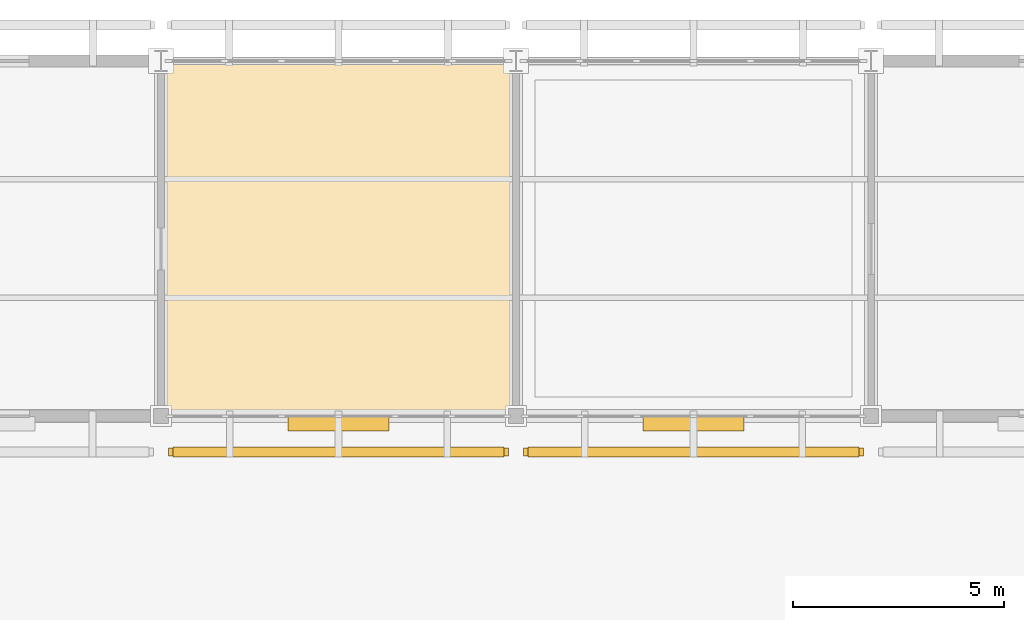
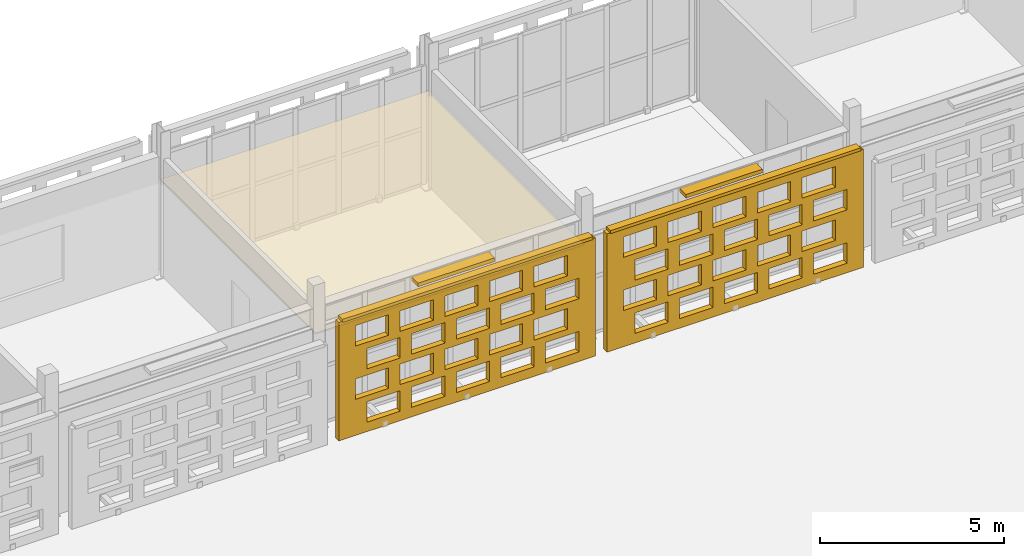
# One storey, part 176 of 203: 4 shading devices, 3 coverings, 40 openings.
"""IFC4 building model written with IfcOpenShell, lengths in metres."""

import ifcopenshell
import ifcopenshell.guid

model = None  # the IFC model being written
_history = None  # IfcOwnerHistory: only IFC2X3 demands one
_inside = {}  # id of a spatial element -> (the spatial element, [elements in it])
_under = {}  # id of a project, library or spatial element -> (it, [spatial elements below it])
_declared = {}  # id of a project -> (the project, [libraries it declares])
_typed = {}  # id of a type object -> (the type object, [elements of that type])
_made_of = {}  # id of a material, layer set ... -> (it, [elements and type objects made of it])


def new_model(schema):
    """Start an empty IFC model of exactly this schema.

    Asked for "IFC4X3", IfcOpenShell would pick the latest addendum, in which some entities
    have other attributes; the version numbers below select the first issue.
    IFC2X3 requires an IfcOwnerHistory on every rooted entity: one is made here for all.
    """
    global model, _history
    if schema == "IFC4X3":
        model = ifcopenshell.file(schema_version=(4, 3, 0, 0))
    else:
        model = ifcopenshell.file(schema=schema)
    _inside.clear()
    _under.clear()
    _declared.clear()
    _typed.clear()
    _made_of.clear()
    _history = None
    if model.schema == "IFC2X3":
        org = make("IfcOrganization", Name="unknown")
        user = make(
            "IfcPersonAndOrganization",
            ThePerson=make("IfcPerson", FamilyName="unknown"),
            TheOrganization=org,
        )
        app = make(
            "IfcApplication",
            ApplicationDeveloper=org,
            Version="unknown",
            ApplicationFullName="unknown",
            ApplicationIdentifier="unknown",
        )
        _history = make(
            "IfcOwnerHistory",
            OwningUser=user,
            OwningApplication=app,
            ChangeAction="ADDED",
            CreationDate=0,
        )
    return model


def make(cls, **values):
    """One entity of the class cls with the attributes given. An attribute that is None is left unset."""
    return model.create_entity(
        cls, **{name: value for name, value in values.items() if value is not None}
    )


def rooted(cls, **values):
    """An entity with a GlobalId (a new one), such as an element, a storey or a relation."""
    return make(cls, GlobalId=ifcopenshell.guid.new(), OwnerHistory=_history, **values)


def si_unit(unit_type, name, prefix=None):
    """IfcSIUnit, for example si_unit("LENGTHUNIT", "METRE", prefix="MILLI")."""
    return make("IfcSIUnit", UnitType=unit_type, Prefix=prefix, Name=name)


def assignment(units):
    """IfcUnitAssignment: the units of a project."""
    return None if units is None else make("IfcUnitAssignment", Units=units)


def point(xyz):
    """IfcCartesianPoint."""
    return None if xyz is None else make("IfcCartesianPoint", Coordinates=xyz)


def direction(xyz):
    """IfcDirection."""
    return None if xyz is None else make("IfcDirection", DirectionRatios=xyz)


def frame(location, z_axis=None, x_axis=None):
    """IfcAxis2Placement3D, a coordinate frame: its origin and axes. An axis left out is left unset."""
    return make(
        "IfcAxis2Placement3D",
        Location=point(location),
        Axis=direction(z_axis),
        RefDirection=direction(x_axis),
    )


def frame_2d(location, x_axis=None):
    """IfcAxis2Placement2D, a coordinate frame in the plane: its origin and x axis."""
    return make(
        "IfcAxis2Placement2D", Location=point(location), RefDirection=direction(x_axis)
    )


def origin():
    """The frame at (0, 0, 0) with its axes left unset."""
    return frame((0.0, 0.0, 0.0))


def origin_2d():
    """The frame at (0, 0) in the plane with its x axis left unset."""
    return frame_2d((0.0, 0.0))


def place(relative_to, where):
    """IfcLocalPlacement: puts the frame where relative to a parent placement (None: the world)."""
    return make(
        "IfcLocalPlacement", PlacementRelTo=relative_to, RelativePlacement=where
    )


def context(
    kind, dimensions, precision=None, world=None, true_north=None, identifier=None
):
    """IfcGeometricRepresentationContext, for example the 3D "Model" context."""
    return make(
        "IfcGeometricRepresentationContext",
        ContextIdentifier=identifier,
        ContextType=kind,
        CoordinateSpaceDimension=dimensions,
        Precision=precision,
        WorldCoordinateSystem=world,
        TrueNorth=true_north,
    )


def subcontext(parent, identifier, kind, view, scale=None):
    """IfcGeometricRepresentationSubContext, for example "Body" below "Model"."""
    return make(
        "IfcGeometricRepresentationSubContext",
        ContextIdentifier=identifier,
        ContextType=kind,
        ParentContext=parent,
        TargetScale=scale,
        TargetView=view,
    )


def project(units=None, contexts=None):
    """IfcProject with its units and contexts."""
    return rooted(
        "IfcProject",
        Name="project",
        RepresentationContexts=contexts,
        UnitsInContext=assignment(units),
    )


def spatial(cls, under=None, at=None, **own):
    """A site, building, storey or space (cls), placed at a placement, below another one or the project."""
    s = rooted(cls, ObjectPlacement=at, **own)
    if under is not None:
        _under.setdefault(under.id(), (under, []))[1].append(s)
    return s


def profile(cls, at=None, kind="AREA", **sizes):
    """A parametric profile (cls). Its sizes go by their IFC names, for example OverallWidth=200.0."""
    return make(cls, ProfileType=kind, Position=at, **sizes)


def rectangle(**sizes):
    """IfcRectangleProfileDef."""
    return profile("IfcRectangleProfileDef", **sizes)


def extrude(swept, where, along, depth):
    """IfcExtrudedAreaSolid: the profile swept, set in the frame where, extruded along a direction by depth."""
    return make(
        "IfcExtrudedAreaSolid",
        SweptArea=swept,
        Position=where,
        ExtrudedDirection=direction(along),
        Depth=depth,
    )


def shape(context_of_items, identifier, shape_type, items):
    """IfcShapeRepresentation: the items that make up one representation, for example the "Body"."""
    return make(
        "IfcShapeRepresentation",
        ContextOfItems=context_of_items,
        RepresentationIdentifier=identifier,
        RepresentationType=shape_type,
        Items=items,
    )


def material(Name=None, Category=None):
    """IfcMaterial."""
    return make("IfcMaterial", Name=Name, Category=Category)


def layer(
    of_material, thickness, ventilated=None, Name=None, Category=None, Priority=None
):
    """IfcMaterialLayer: one layer of a wall or slab, of a material (None: an air gap)."""
    return make(
        "IfcMaterialLayer",
        Material=of_material,
        LayerThickness=thickness,
        IsVentilated=ventilated,
        Name=Name,
        Category=Category,
        Priority=Priority,
    )


def layer_set(layers, Name=None):
    """IfcMaterialLayerSet."""
    return make("IfcMaterialLayerSet", MaterialLayers=layers, LayerSetName=Name)


def made_of(thing, what):
    """Note that an element or type object is made of a material, layer set ...; save() writes the relation."""
    if what is not None:
        _made_of.setdefault(what.id(), (what, []))[1].append(thing)
    return thing


def type_object(cls, material=None, **own):
    """A type object (cls), such as IfcWallType, which elements share."""
    return made_of(rooted(cls, **own), material)


def element(
    cls,
    number,
    at=None,
    inside=None,
    cuts=None,
    type_object=None,
    material=None,
    context=None,
    identifier="Body",
    shape_type=None,
    held_by="IfcProductDefinitionShape",
    body=None,
    shapes=None,
    **own,
):
    """One element of the class cls, such as IfcWall. Its Tag is "e" and its number.

    at: its placement. inside: the storey or other place that contains it. cuts: it is an
    opening in that element (IfcRelVoidsElement). A single representation is given by context,
    identifier, shape_type and body (its items); several are given by shapes. held_by: the class
    of the entity that holds the representations. save() writes the other relations.
    """
    e = rooted(cls, Tag="e%d" % number, ObjectPlacement=at, **own)
    if body is not None:
        shapes = [shape(context, identifier, shape_type, body)]
    if shapes is not None:
        e.Representation = make(held_by, Representations=shapes)
    if inside is not None:
        _inside.setdefault(inside.id(), (inside, []))[1].append(e)
    if cuts is not None:
        rooted(
            "IfcRelVoidsElement", RelatingBuildingElement=cuts, RelatedOpeningElement=e
        )
    if type_object is not None:
        _typed.setdefault(type_object.id(), (type_object, []))[1].append(e)
    return made_of(e, material)


def aggregate(whole, parts):
    """IfcRelAggregates: a whole, such as a stair, and the parts it consists of."""
    return rooted("IfcRelAggregates", RelatingObject=whole, RelatedObjects=parts)


def save(model, path):
    """Write the relations noted so far, then the file.

    IfcRelAggregates (storeys below a building ...), IfcRelContainedInSpatialStructure (elements
    in a storey), IfcRelDefinesByType, IfcRelAssociatesMaterial and IfcRelDeclares: one each for
    every whole, place, type object, material and project.
    """
    for whole, parts in _under.values():
        aggregate(whole, parts)
    for where, things in _inside.values():
        rooted(
            "IfcRelContainedInSpatialStructure",
            RelatedElements=things,
            RelatingStructure=where,
        )
    for kind, things in _typed.values():
        rooted("IfcRelDefinesByType", RelatedObjects=things, RelatingType=kind)
    for what, things in _made_of.values():
        rooted("IfcRelAssociatesMaterial", RelatedObjects=things, RelatingMaterial=what)
    for by, libraries in _declared.values():
        rooted("IfcRelDeclares", RelatingContext=by, RelatedDefinitions=libraries)
    model.write(path)


model = new_model("IFC4")

# Units and contexts
model_context = context("Model", 3, precision=1e-05, world=origin(), true_north=direction((0.0, 1.0)))
body_context = subcontext(model_context, "Body", "Model", "MODEL_VIEW")
ifc_project = project(units=[si_unit("LENGTHUNIT", "METRE"), si_unit("AREAUNIT", "SQUARE_METRE"), si_unit("VOLUMEUNIT", "CUBIC_METRE"), si_unit("PLANEANGLEUNIT", "RADIAN"), si_unit("MASSUNIT", "GRAM", prefix="KILO")], contexts=[model_context])

# Site, building, storey
site_placement = place(None, origin())
site = spatial("IfcSite", under=ifc_project, at=site_placement, CompositionType="ELEMENT")
building_placement = place(site_placement, origin())
building = spatial("IfcBuilding", under=site, at=building_placement, Name="Varnapada Polytechnic", CompositionType="ELEMENT")
storey_placement = place(building_placement, frame((0.0, 0.0, 4.800048828125)))
storey = spatial("IfcBuildingStorey", under=building, at=storey_placement, Name="L01", CompositionType="ELEMENT", Elevation=4.800048828125)

# Shading devices
ifc_material_1 = material(Name="Anodised aluminium", Category="aluminium")
ifc_layer_1 = layer(ifc_material_1, 0.35009765625)
ifc_layer_set_1 = layer_set([ifc_layer_1], Name="Anodised aluminium")
shading_device_type_1 = type_object("IfcShadingDeviceType", Name="Solar Louvre LVR-01", PredefinedType="JALOUSIE", material=ifc_layer_set_1)
for number, where, z_axis, x_axis, name in (
    (1, (79.800048828125, 117.419921875, 3.760009765625), (0.0, 0.0, 1.0), (-1.0, 0.0, 0.0), "L01 aluminium sun louvre 70"),
    (2, (88.199951171875, 117.419921875, 3.760009765625), (0.0, 0.0, 1.0), (-1.0, 0.0, 0.0), "L01 aluminium sun louvre 76"),
):
    element("IfcShadingDevice", number, at=place(storey_placement, frame(where, z_axis=z_axis, x_axis=x_axis)), inside=storey, type_object=shading_device_type_1, Name=name, PredefinedType="JALOUSIE", context=body_context, shape_type="SweptSolid", body=[
        extrude(rectangle(XDim=2.39990234375, YDim=0.340087890625, at=origin_2d()), origin(), (0.0, 0.0, 1.0), 0.1201171875),
    ])

# Covering
ifc_material_2 = material(Name="Micro-Perforated Gypsum Acoustic Ceiling")
ifc_layer_2 = layer(ifc_material_2, 0.044921875)
ifc_layer_set_2 = layer_set([ifc_layer_2], Name="Micro-Perforated Gypsum Acoustic Ceiling")
covering_type_1 = type_object("IfcCoveringType", Name="Suspended Ceiling CLG-04", PredefinedType="CEILING", material=ifc_layer_set_2)
covering_1_placement = place(storey_placement, frame((79.800048828125, 121.800048828125, 3.027587890625), z_axis=(0.0, 0.0, 1.0), x_axis=(1.0, 0.0, 0.0)))
element("IfcCovering", 3, at=covering_1_placement, inside=storey, type_object=covering_type_1, Name="L01 suspended acoustic ceiling (10,15)", PredefinedType="CEILING", context=body_context, shape_type="SweptSolid", body=[
    extrude(rectangle(XDim=8.419921875, YDim=8.419921875, at=origin_2d()), origin(), (0.0, 0.0, 1.0), 0.044921875),
])

# Covering, openings
ifc_material_3 = material(Name="Earth-toned architectural terracotta screen block", Category="masonry")
ifc_layer_3 = layer(ifc_material_3, 0.1201171875)
ifc_layer_set_3 = layer_set([ifc_layer_3], Name="Earth-toned architectural terracotta screen block")
covering_type_2 = type_object("IfcCoveringType", Name="Terracotta Screen Cladding CLD-01", PredefinedType="CLADDING", material=ifc_layer_set_3)
covering_2_placement = place(storey_placement, frame((83.820068359375, 116.75, 0.0), z_axis=(0.0, 0.0, 1.0), x_axis=(-1.0, 0.0, 0.0)))
covering_2 = element("IfcCovering", 4, at=covering_2_placement, inside=storey, type_object=covering_type_2, Name="L01 perforated terracotta block screen (70)", PredefinedType="CLADDING", context=body_context, shape_type="SweptSolid", body=[
    extrude(rectangle(XDim=8.0400390625, YDim=0.179931640625, at=frame_2d((4.02001953125, 0.0))), origin(), (0.0, 0.0, 1.0), 3.919921875),
])
opening_1_placement = place(covering_2_placement, frame((0.52001953125, 0.0, 0.313720703125)))
element("IfcOpeningElement", 5, at=opening_1_placement, cuts=covering_2, Name="Screen perforation TBS-L01-069.1", PredefinedType="OPENING", context=body_context, shape_type="SweptSolid", body=[
    extrude(rectangle(XDim=1.0400390625, YDim=0.679931640625, at=frame_2d((0.52001953125, 0.33984375))), frame((0.0, 0.099853515625, 0.0), z_axis=(0.0, -1.0, 0.0), x_axis=(1.0, 0.0, 0.0)), (0.0, 0.0, 1.0), 0.199951171875),
])
opening_2_placement = place(covering_2_placement, frame((1.919921875, 0.0, 0.313720703125)))
element("IfcOpeningElement", 6, at=opening_2_placement, cuts=covering_2, Name="Screen perforation TBS-L01-069.2", PredefinedType="OPENING", context=body_context, shape_type="SweptSolid", body=[
    extrude(rectangle(XDim=1.0400390625, YDim=0.679931640625, at=frame_2d((0.52001953125, 0.33984375))), frame((0.0, 0.099853515625, 0.0), z_axis=(0.0, -1.0, 0.0), x_axis=(1.0, 0.0, 0.0)), (0.0, 0.0, 1.0), 0.199951171875),
])
opening_3_placement = place(covering_2_placement, frame((3.320068359375, 0.0, 0.313720703125)))
element("IfcOpeningElement", 7, at=opening_3_placement, cuts=covering_2, Name="Screen perforation TBS-L01-069.3", PredefinedType="OPENING", context=body_context, shape_type="SweptSolid", body=[
    extrude(rectangle(XDim=1.0400390625, YDim=0.679931640625, at=frame_2d((0.52001953125, 0.33984375))), frame((0.0, 0.099853515625, 0.0), z_axis=(0.0, -1.0, 0.0), x_axis=(1.0, 0.0, 0.0)), (0.0, 0.0, 1.0), 0.199951171875),
])
opening_4_placement = place(covering_2_placement, frame((4.719970703125, 0.0, 0.313720703125)))
element("IfcOpeningElement", 8, at=opening_4_placement, cuts=covering_2, Name="Screen perforation TBS-L01-069.4", PredefinedType="OPENING", context=body_context, shape_type="SweptSolid", body=[
    extrude(rectangle(XDim=1.0400390625, YDim=0.679931640625, at=frame_2d((0.52001953125, 0.33984375))), frame((0.0, 0.099853515625, 0.0), z_axis=(0.0, -1.0, 0.0), x_axis=(1.0, 0.0, 0.0)), (0.0, 0.0, 1.0), 0.199951171875),
])
opening_5_placement = place(covering_2_placement, frame((6.1201171875, 0.0, 0.313720703125)))
element("IfcOpeningElement", 9, at=opening_5_placement, cuts=covering_2, Name="Screen perforation TBS-L01-069.5", PredefinedType="OPENING", context=body_context, shape_type="SweptSolid", body=[
    extrude(rectangle(XDim=1.0400390625, YDim=0.679931640625, at=frame_2d((0.52001953125, 0.33984375))), frame((0.0, 0.099853515625, 0.0), z_axis=(0.0, -1.0, 0.0), x_axis=(1.0, 0.0, 0.0)), (0.0, 0.0, 1.0), 0.199951171875),
])
opening_6_placement = place(covering_2_placement, frame((0.8798828125, 0.0, 1.195556640625)))
element("IfcOpeningElement", 10, at=opening_6_placement, cuts=covering_2, Name="Screen perforation TBS-L01-069.6", PredefinedType="OPENING", context=body_context, shape_type="SweptSolid", body=[
    extrude(rectangle(XDim=1.0400390625, YDim=0.679931640625, at=frame_2d((0.52001953125, 0.33984375))), frame((0.0, 0.099853515625, 0.0), z_axis=(0.0, -1.0, 0.0), x_axis=(1.0, 0.0, 0.0)), (0.0, 0.0, 1.0), 0.199951171875),
])
opening_7_placement = place(covering_2_placement, frame((2.280029296875, 0.0, 1.195556640625)))
element("IfcOpeningElement", 11, at=opening_7_placement, cuts=covering_2, Name="Screen perforation TBS-L01-069.7", PredefinedType="OPENING", context=body_context, shape_type="SweptSolid", body=[
    extrude(rectangle(XDim=1.0400390625, YDim=0.679931640625, at=frame_2d((0.52001953125, 0.33984375))), frame((0.0, 0.099853515625, 0.0), z_axis=(0.0, -1.0, 0.0), x_axis=(1.0, 0.0, 0.0)), (0.0, 0.0, 1.0), 0.199951171875),
])
opening_8_placement = place(covering_2_placement, frame((3.679931640625, 0.0, 1.195556640625)))
element("IfcOpeningElement", 12, at=opening_8_placement, cuts=covering_2, Name="Screen perforation TBS-L01-069.8", PredefinedType="OPENING", context=body_context, shape_type="SweptSolid", body=[
    extrude(rectangle(XDim=1.0400390625, YDim=0.679931640625, at=frame_2d((0.52001953125, 0.33984375))), frame((0.0, 0.099853515625, 0.0), z_axis=(0.0, -1.0, 0.0), x_axis=(1.0, 0.0, 0.0)), (0.0, 0.0, 1.0), 0.199951171875),
])
opening_9_placement = place(covering_2_placement, frame((5.080078125, 0.0, 1.195556640625)))
element("IfcOpeningElement", 13, at=opening_9_placement, cuts=covering_2, Name="Screen perforation TBS-L01-069.9", PredefinedType="OPENING", context=body_context, shape_type="SweptSolid", body=[
    extrude(rectangle(XDim=1.0400390625, YDim=0.679931640625, at=frame_2d((0.52001953125, 0.33984375))), frame((0.0, 0.099853515625, 0.0), z_axis=(0.0, -1.0, 0.0), x_axis=(1.0, 0.0, 0.0)), (0.0, 0.0, 1.0), 0.199951171875),
])
opening_10_placement = place(covering_2_placement, frame((6.47998046875, 0.0, 1.195556640625)))
element("IfcOpeningElement", 14, at=opening_10_placement, cuts=covering_2, Name="Screen perforation TBS-L01-069.10", PredefinedType="OPENING", context=body_context, shape_type="SweptSolid", body=[
    extrude(rectangle(XDim=1.0400390625, YDim=0.679931640625, at=frame_2d((0.52001953125, 0.33984375))), frame((0.0, 0.099853515625, 0.0), z_axis=(0.0, -1.0, 0.0), x_axis=(1.0, 0.0, 0.0)), (0.0, 0.0, 1.0), 0.199951171875),
])
opening_11_placement = place(covering_2_placement, frame((0.52001953125, 0.0, 2.07763671875)))
element("IfcOpeningElement", 15, at=opening_11_placement, cuts=covering_2, Name="Screen perforation TBS-L01-069.11", PredefinedType="OPENING", context=body_context, shape_type="SweptSolid", body=[
    extrude(rectangle(XDim=1.0400390625, YDim=0.679931640625, at=frame_2d((0.52001953125, 0.33984375))), frame((0.0, 0.099853515625, 0.0), z_axis=(0.0, -1.0, 0.0), x_axis=(1.0, 0.0, 0.0)), (0.0, 0.0, 1.0), 0.199951171875),
])
opening_12_placement = place(covering_2_placement, frame((1.919921875, 0.0, 2.07763671875)))
element("IfcOpeningElement", 16, at=opening_12_placement, cuts=covering_2, Name="Screen perforation TBS-L01-069.12", PredefinedType="OPENING", context=body_context, shape_type="SweptSolid", body=[
    extrude(rectangle(XDim=1.0400390625, YDim=0.679931640625, at=frame_2d((0.52001953125, 0.33984375))), frame((0.0, 0.099853515625, 0.0), z_axis=(0.0, -1.0, 0.0), x_axis=(1.0, 0.0, 0.0)), (0.0, 0.0, 1.0), 0.199951171875),
])
opening_13_placement = place(covering_2_placement, frame((3.320068359375, 0.0, 2.07763671875)))
element("IfcOpeningElement", 17, at=opening_13_placement, cuts=covering_2, Name="Screen perforation TBS-L01-069.13", PredefinedType="OPENING", context=body_context, shape_type="SweptSolid", body=[
    extrude(rectangle(XDim=1.0400390625, YDim=0.679931640625, at=frame_2d((0.52001953125, 0.33984375))), frame((0.0, 0.099853515625, 0.0), z_axis=(0.0, -1.0, 0.0), x_axis=(1.0, 0.0, 0.0)), (0.0, 0.0, 1.0), 0.199951171875),
])
opening_14_placement = place(covering_2_placement, frame((4.719970703125, 0.0, 2.07763671875)))
element("IfcOpeningElement", 18, at=opening_14_placement, cuts=covering_2, Name="Screen perforation TBS-L01-069.14", PredefinedType="OPENING", context=body_context, shape_type="SweptSolid", body=[
    extrude(rectangle(XDim=1.0400390625, YDim=0.679931640625, at=frame_2d((0.52001953125, 0.33984375))), frame((0.0, 0.099853515625, 0.0), z_axis=(0.0, -1.0, 0.0), x_axis=(1.0, 0.0, 0.0)), (0.0, 0.0, 1.0), 0.199951171875),
])
opening_15_placement = place(covering_2_placement, frame((6.1201171875, 0.0, 2.07763671875)))
element("IfcOpeningElement", 19, at=opening_15_placement, cuts=covering_2, Name="Screen perforation TBS-L01-069.15", PredefinedType="OPENING", context=body_context, shape_type="SweptSolid", body=[
    extrude(rectangle(XDim=1.0400390625, YDim=0.679931640625, at=frame_2d((0.52001953125, 0.33984375))), frame((0.0, 0.099853515625, 0.0), z_axis=(0.0, -1.0, 0.0), x_axis=(1.0, 0.0, 0.0)), (0.0, 0.0, 1.0), 0.199951171875),
])
opening_16_placement = place(covering_2_placement, frame((0.8798828125, 0.0, 2.959716796875)))
element("IfcOpeningElement", 20, at=opening_16_placement, cuts=covering_2, Name="Screen perforation TBS-L01-069.16", PredefinedType="OPENING", context=body_context, shape_type="SweptSolid", body=[
    extrude(rectangle(XDim=1.0400390625, YDim=0.679931640625, at=frame_2d((0.52001953125, 0.33984375))), frame((0.0, 0.099853515625, 0.0), z_axis=(0.0, -1.0, 0.0), x_axis=(1.0, 0.0, 0.0)), (0.0, 0.0, 1.0), 0.199951171875),
])
opening_17_placement = place(covering_2_placement, frame((2.280029296875, 0.0, 2.959716796875)))
element("IfcOpeningElement", 21, at=opening_17_placement, cuts=covering_2, Name="Screen perforation TBS-L01-069.17", PredefinedType="OPENING", context=body_context, shape_type="SweptSolid", body=[
    extrude(rectangle(XDim=1.0400390625, YDim=0.679931640625, at=frame_2d((0.52001953125, 0.33984375))), frame((0.0, 0.099853515625, 0.0), z_axis=(0.0, -1.0, 0.0), x_axis=(1.0, 0.0, 0.0)), (0.0, 0.0, 1.0), 0.199951171875),
])
opening_18_placement = place(covering_2_placement, frame((3.679931640625, 0.0, 2.959716796875)))
element("IfcOpeningElement", 22, at=opening_18_placement, cuts=covering_2, Name="Screen perforation TBS-L01-069.18", PredefinedType="OPENING", context=body_context, shape_type="SweptSolid", body=[
    extrude(rectangle(XDim=1.0400390625, YDim=0.679931640625, at=frame_2d((0.52001953125, 0.33984375))), frame((0.0, 0.099853515625, 0.0), z_axis=(0.0, -1.0, 0.0), x_axis=(1.0, 0.0, 0.0)), (0.0, 0.0, 1.0), 0.199951171875),
])
opening_19_placement = place(covering_2_placement, frame((5.080078125, 0.0, 2.959716796875)))
element("IfcOpeningElement", 23, at=opening_19_placement, cuts=covering_2, Name="Screen perforation TBS-L01-069.19", PredefinedType="OPENING", context=body_context, shape_type="SweptSolid", body=[
    extrude(rectangle(XDim=1.0400390625, YDim=0.679931640625, at=frame_2d((0.52001953125, 0.33984375))), frame((0.0, 0.099853515625, 0.0), z_axis=(0.0, -1.0, 0.0), x_axis=(1.0, 0.0, 0.0)), (0.0, 0.0, 1.0), 0.199951171875),
])
opening_20_placement = place(covering_2_placement, frame((6.47998046875, 0.0, 2.959716796875)))
element("IfcOpeningElement", 24, at=opening_20_placement, cuts=covering_2, Name="Screen perforation TBS-L01-069.20", PredefinedType="OPENING", context=body_context, shape_type="SweptSolid", body=[
    extrude(rectangle(XDim=1.0400390625, YDim=0.679931640625, at=frame_2d((0.52001953125, 0.33984375))), frame((0.0, 0.099853515625, 0.0), z_axis=(0.0, -1.0, 0.0), x_axis=(1.0, 0.0, 0.0)), (0.0, 0.0, 1.0), 0.199951171875),
])

covering_3_placement = place(storey_placement, frame((92.219970703125, 116.75, 0.0), z_axis=(0.0, 0.0, 1.0), x_axis=(-1.0, 0.0, 0.0)))
covering_3 = element("IfcCovering", 25, at=covering_3_placement, inside=storey, type_object=covering_type_2, Name="L01 perforated terracotta block screen (76)", PredefinedType="CLADDING", context=body_context, shape_type="SweptSolid", body=[
    extrude(rectangle(XDim=8.0400390625, YDim=0.179931640625, at=frame_2d((4.02001953125, 0.0))), origin(), (0.0, 0.0, 1.0), 3.919921875),
])
opening_21_placement = place(covering_3_placement, frame((0.52001953125, 0.0, 0.313720703125)))
element("IfcOpeningElement", 26, at=opening_21_placement, cuts=covering_3, Name="Screen perforation TBS-L01-075.1", PredefinedType="OPENING", context=body_context, shape_type="SweptSolid", body=[
    extrude(rectangle(XDim=1.0400390625, YDim=0.679931640625, at=frame_2d((0.52001953125, 0.33984375))), frame((0.0, 0.099853515625, 0.0), z_axis=(0.0, -1.0, 0.0), x_axis=(1.0, 0.0, 0.0)), (0.0, 0.0, 1.0), 0.199951171875),
])
opening_22_placement = place(covering_3_placement, frame((1.919921875, 0.0, 0.313720703125)))
element("IfcOpeningElement", 27, at=opening_22_placement, cuts=covering_3, Name="Screen perforation TBS-L01-075.2", PredefinedType="OPENING", context=body_context, shape_type="SweptSolid", body=[
    extrude(rectangle(XDim=1.0400390625, YDim=0.679931640625, at=frame_2d((0.52001953125, 0.33984375))), frame((0.0, 0.099853515625, 0.0), z_axis=(0.0, -1.0, 0.0), x_axis=(1.0, 0.0, 0.0)), (0.0, 0.0, 1.0), 0.199951171875),
])
opening_23_placement = place(covering_3_placement, frame((3.320068359375, 0.0, 0.313720703125)))
element("IfcOpeningElement", 28, at=opening_23_placement, cuts=covering_3, Name="Screen perforation TBS-L01-075.3", PredefinedType="OPENING", context=body_context, shape_type="SweptSolid", body=[
    extrude(rectangle(XDim=1.0400390625, YDim=0.679931640625, at=frame_2d((0.52001953125, 0.33984375))), frame((0.0, 0.099853515625, 0.0), z_axis=(0.0, -1.0, 0.0), x_axis=(1.0, 0.0, 0.0)), (0.0, 0.0, 1.0), 0.199951171875),
])
opening_24_placement = place(covering_3_placement, frame((4.719970703125, 0.0, 0.313720703125)))
element("IfcOpeningElement", 29, at=opening_24_placement, cuts=covering_3, Name="Screen perforation TBS-L01-075.4", PredefinedType="OPENING", context=body_context, shape_type="SweptSolid", body=[
    extrude(rectangle(XDim=1.0400390625, YDim=0.679931640625, at=frame_2d((0.52001953125, 0.33984375))), frame((0.0, 0.099853515625, 0.0), z_axis=(0.0, -1.0, 0.0), x_axis=(1.0, 0.0, 0.0)), (0.0, 0.0, 1.0), 0.199951171875),
])
opening_25_placement = place(covering_3_placement, frame((6.1201171875, 0.0, 0.313720703125)))
element("IfcOpeningElement", 30, at=opening_25_placement, cuts=covering_3, Name="Screen perforation TBS-L01-075.5", PredefinedType="OPENING", context=body_context, shape_type="SweptSolid", body=[
    extrude(rectangle(XDim=1.0400390625, YDim=0.679931640625, at=frame_2d((0.52001953125, 0.33984375))), frame((0.0, 0.099853515625, 0.0), z_axis=(0.0, -1.0, 0.0), x_axis=(1.0, 0.0, 0.0)), (0.0, 0.0, 1.0), 0.199951171875),
])
opening_26_placement = place(covering_3_placement, frame((0.8798828125, 0.0, 1.195556640625)))
element("IfcOpeningElement", 31, at=opening_26_placement, cuts=covering_3, Name="Screen perforation TBS-L01-075.6", PredefinedType="OPENING", context=body_context, shape_type="SweptSolid", body=[
    extrude(rectangle(XDim=1.0400390625, YDim=0.679931640625, at=frame_2d((0.52001953125, 0.33984375))), frame((0.0, 0.099853515625, 0.0), z_axis=(0.0, -1.0, 0.0), x_axis=(1.0, 0.0, 0.0)), (0.0, 0.0, 1.0), 0.199951171875),
])
opening_27_placement = place(covering_3_placement, frame((2.280029296875, 0.0, 1.195556640625)))
element("IfcOpeningElement", 32, at=opening_27_placement, cuts=covering_3, Name="Screen perforation TBS-L01-075.7", PredefinedType="OPENING", context=body_context, shape_type="SweptSolid", body=[
    extrude(rectangle(XDim=1.0400390625, YDim=0.679931640625, at=frame_2d((0.52001953125, 0.33984375))), frame((0.0, 0.099853515625, 0.0), z_axis=(0.0, -1.0, 0.0), x_axis=(1.0, 0.0, 0.0)), (0.0, 0.0, 1.0), 0.199951171875),
])
opening_28_placement = place(covering_3_placement, frame((3.679931640625, 0.0, 1.195556640625)))
element("IfcOpeningElement", 33, at=opening_28_placement, cuts=covering_3, Name="Screen perforation TBS-L01-075.8", PredefinedType="OPENING", context=body_context, shape_type="SweptSolid", body=[
    extrude(rectangle(XDim=1.0400390625, YDim=0.679931640625, at=frame_2d((0.52001953125, 0.33984375))), frame((0.0, 0.099853515625, 0.0), z_axis=(0.0, -1.0, 0.0), x_axis=(1.0, 0.0, 0.0)), (0.0, 0.0, 1.0), 0.199951171875),
])
opening_29_placement = place(covering_3_placement, frame((5.080078125, 0.0, 1.195556640625)))
element("IfcOpeningElement", 34, at=opening_29_placement, cuts=covering_3, Name="Screen perforation TBS-L01-075.9", PredefinedType="OPENING", context=body_context, shape_type="SweptSolid", body=[
    extrude(rectangle(XDim=1.0400390625, YDim=0.679931640625, at=frame_2d((0.52001953125, 0.33984375))), frame((0.0, 0.099853515625, 0.0), z_axis=(0.0, -1.0, 0.0), x_axis=(1.0, 0.0, 0.0)), (0.0, 0.0, 1.0), 0.199951171875),
])
opening_30_placement = place(covering_3_placement, frame((6.47998046875, 0.0, 1.195556640625)))
element("IfcOpeningElement", 35, at=opening_30_placement, cuts=covering_3, Name="Screen perforation TBS-L01-075.10", PredefinedType="OPENING", context=body_context, shape_type="SweptSolid", body=[
    extrude(rectangle(XDim=1.0400390625, YDim=0.679931640625, at=frame_2d((0.52001953125, 0.33984375))), frame((0.0, 0.099853515625, 0.0), z_axis=(0.0, -1.0, 0.0), x_axis=(1.0, 0.0, 0.0)), (0.0, 0.0, 1.0), 0.199951171875),
])
opening_31_placement = place(covering_3_placement, frame((0.52001953125, 0.0, 2.07763671875)))
element("IfcOpeningElement", 36, at=opening_31_placement, cuts=covering_3, Name="Screen perforation TBS-L01-075.11", PredefinedType="OPENING", context=body_context, shape_type="SweptSolid", body=[
    extrude(rectangle(XDim=1.0400390625, YDim=0.679931640625, at=frame_2d((0.52001953125, 0.33984375))), frame((0.0, 0.099853515625, 0.0), z_axis=(0.0, -1.0, 0.0), x_axis=(1.0, 0.0, 0.0)), (0.0, 0.0, 1.0), 0.199951171875),
])
opening_32_placement = place(covering_3_placement, frame((1.919921875, 0.0, 2.07763671875)))
element("IfcOpeningElement", 37, at=opening_32_placement, cuts=covering_3, Name="Screen perforation TBS-L01-075.12", PredefinedType="OPENING", context=body_context, shape_type="SweptSolid", body=[
    extrude(rectangle(XDim=1.0400390625, YDim=0.679931640625, at=frame_2d((0.52001953125, 0.33984375))), frame((0.0, 0.099853515625, 0.0), z_axis=(0.0, -1.0, 0.0), x_axis=(1.0, 0.0, 0.0)), (0.0, 0.0, 1.0), 0.199951171875),
])
opening_33_placement = place(covering_3_placement, frame((3.320068359375, 0.0, 2.07763671875)))
element("IfcOpeningElement", 38, at=opening_33_placement, cuts=covering_3, Name="Screen perforation TBS-L01-075.13", PredefinedType="OPENING", context=body_context, shape_type="SweptSolid", body=[
    extrude(rectangle(XDim=1.0400390625, YDim=0.679931640625, at=frame_2d((0.52001953125, 0.33984375))), frame((0.0, 0.099853515625, 0.0), z_axis=(0.0, -1.0, 0.0), x_axis=(1.0, 0.0, 0.0)), (0.0, 0.0, 1.0), 0.199951171875),
])
opening_34_placement = place(covering_3_placement, frame((4.719970703125, 0.0, 2.07763671875)))
element("IfcOpeningElement", 39, at=opening_34_placement, cuts=covering_3, Name="Screen perforation TBS-L01-075.14", PredefinedType="OPENING", context=body_context, shape_type="SweptSolid", body=[
    extrude(rectangle(XDim=1.0400390625, YDim=0.679931640625, at=frame_2d((0.52001953125, 0.33984375))), frame((0.0, 0.099853515625, 0.0), z_axis=(0.0, -1.0, 0.0), x_axis=(1.0, 0.0, 0.0)), (0.0, 0.0, 1.0), 0.199951171875),
])
opening_35_placement = place(covering_3_placement, frame((6.1201171875, 0.0, 2.07763671875)))
element("IfcOpeningElement", 40, at=opening_35_placement, cuts=covering_3, Name="Screen perforation TBS-L01-075.15", PredefinedType="OPENING", context=body_context, shape_type="SweptSolid", body=[
    extrude(rectangle(XDim=1.0400390625, YDim=0.679931640625, at=frame_2d((0.52001953125, 0.33984375))), frame((0.0, 0.099853515625, 0.0), z_axis=(0.0, -1.0, 0.0), x_axis=(1.0, 0.0, 0.0)), (0.0, 0.0, 1.0), 0.199951171875),
])
opening_36_placement = place(covering_3_placement, frame((0.8798828125, 0.0, 2.959716796875)))
element("IfcOpeningElement", 41, at=opening_36_placement, cuts=covering_3, Name="Screen perforation TBS-L01-075.16", PredefinedType="OPENING", context=body_context, shape_type="SweptSolid", body=[
    extrude(rectangle(XDim=1.0400390625, YDim=0.679931640625, at=frame_2d((0.52001953125, 0.33984375))), frame((0.0, 0.099853515625, 0.0), z_axis=(0.0, -1.0, 0.0), x_axis=(1.0, 0.0, 0.0)), (0.0, 0.0, 1.0), 0.199951171875),
])
opening_37_placement = place(covering_3_placement, frame((2.280029296875, 0.0, 2.959716796875)))
element("IfcOpeningElement", 42, at=opening_37_placement, cuts=covering_3, Name="Screen perforation TBS-L01-075.17", PredefinedType="OPENING", context=body_context, shape_type="SweptSolid", body=[
    extrude(rectangle(XDim=1.0400390625, YDim=0.679931640625, at=frame_2d((0.52001953125, 0.33984375))), frame((0.0, 0.099853515625, 0.0), z_axis=(0.0, -1.0, 0.0), x_axis=(1.0, 0.0, 0.0)), (0.0, 0.0, 1.0), 0.199951171875),
])
opening_38_placement = place(covering_3_placement, frame((3.679931640625, 0.0, 2.959716796875)))
element("IfcOpeningElement", 43, at=opening_38_placement, cuts=covering_3, Name="Screen perforation TBS-L01-075.18", PredefinedType="OPENING", context=body_context, shape_type="SweptSolid", body=[
    extrude(rectangle(XDim=1.0400390625, YDim=0.679931640625, at=frame_2d((0.52001953125, 0.33984375))), frame((0.0, 0.099853515625, 0.0), z_axis=(0.0, -1.0, 0.0), x_axis=(1.0, 0.0, 0.0)), (0.0, 0.0, 1.0), 0.199951171875),
])
opening_39_placement = place(covering_3_placement, frame((5.080078125, 0.0, 2.959716796875)))
element("IfcOpeningElement", 44, at=opening_39_placement, cuts=covering_3, Name="Screen perforation TBS-L01-075.19", PredefinedType="OPENING", context=body_context, shape_type="SweptSolid", body=[
    extrude(rectangle(XDim=1.0400390625, YDim=0.679931640625, at=frame_2d((0.52001953125, 0.33984375))), frame((0.0, 0.099853515625, 0.0), z_axis=(0.0, -1.0, 0.0), x_axis=(1.0, 0.0, 0.0)), (0.0, 0.0, 1.0), 0.199951171875),
])
opening_40_placement = place(covering_3_placement, frame((6.47998046875, 0.0, 2.959716796875)))
element("IfcOpeningElement", 45, at=opening_40_placement, cuts=covering_3, Name="Screen perforation TBS-L01-075.20", PredefinedType="OPENING", context=body_context, shape_type="SweptSolid", body=[
    extrude(rectangle(XDim=1.0400390625, YDim=0.679931640625, at=frame_2d((0.52001953125, 0.33984375))), frame((0.0, 0.099853515625, 0.0), z_axis=(0.0, -1.0, 0.0), x_axis=(1.0, 0.0, 0.0)), (0.0, 0.0, 1.0), 0.199951171875),
])

# Shading devices
ifc_layer_4 = layer(ifc_material_3, 0.179931640625)
ifc_layer_set_4 = layer_set([ifc_layer_4], Name="Earth-toned architectural terracotta screen block")
shading_device_type_2 = type_object("IfcShadingDeviceType", Name="Terracotta Screen SCR-02", PredefinedType="USERDEFINED", material=ifc_layer_set_4)
for number, where, z_axis, x_axis, name in (
    (46, (79.800048828125, 116.75, 3.909912109375), (0.0, 0.0, 1.0), (-1.0, 0.0, 0.0), "L01 perforated terracotta screen hood 149"),
    (47, (88.199951171875, 116.75, 3.909912109375), (0.0, 0.0, 1.0), (-1.0, 0.0, 0.0), "L01 perforated terracotta screen hood 155"),
):
    element("IfcShadingDevice", number, at=place(storey_placement, frame(where, z_axis=z_axis, x_axis=x_axis)), inside=storey, type_object=shading_device_type_2, Name=name, ObjectType="SCREEN", PredefinedType="USERDEFINED", context=body_context, shape_type="SweptSolid", body=[
        extrude(rectangle(XDim=7.840087890625, YDim=0.239990234375, at=origin_2d()), origin(), (0.0, 0.0, 1.0), 0.10009765625),
    ])

save(model, "model.ifc")
